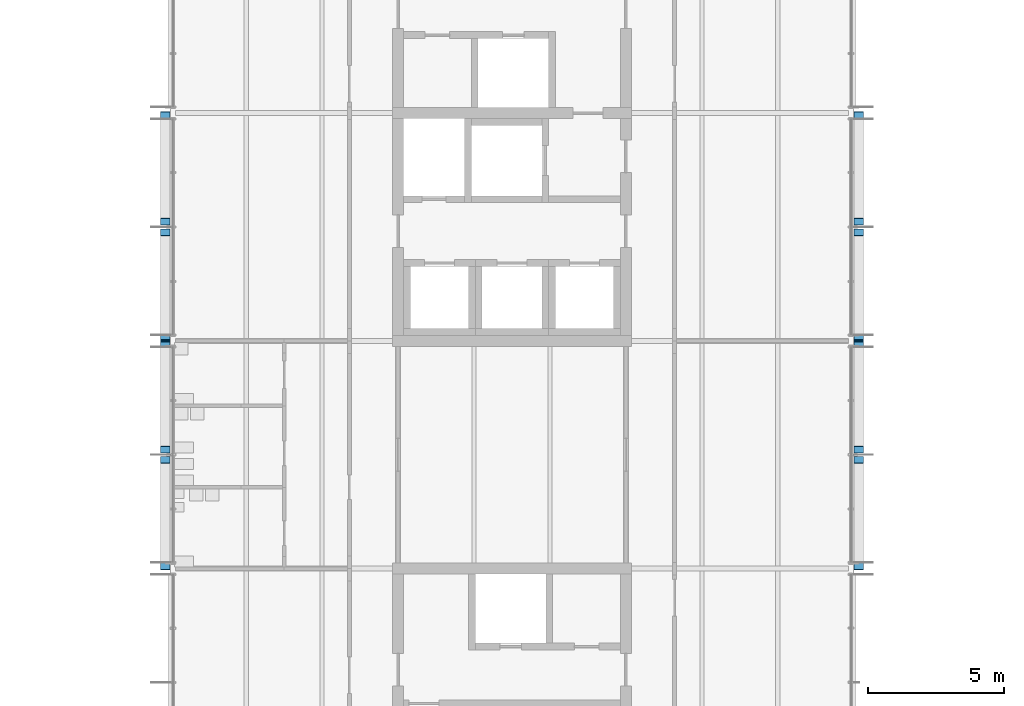
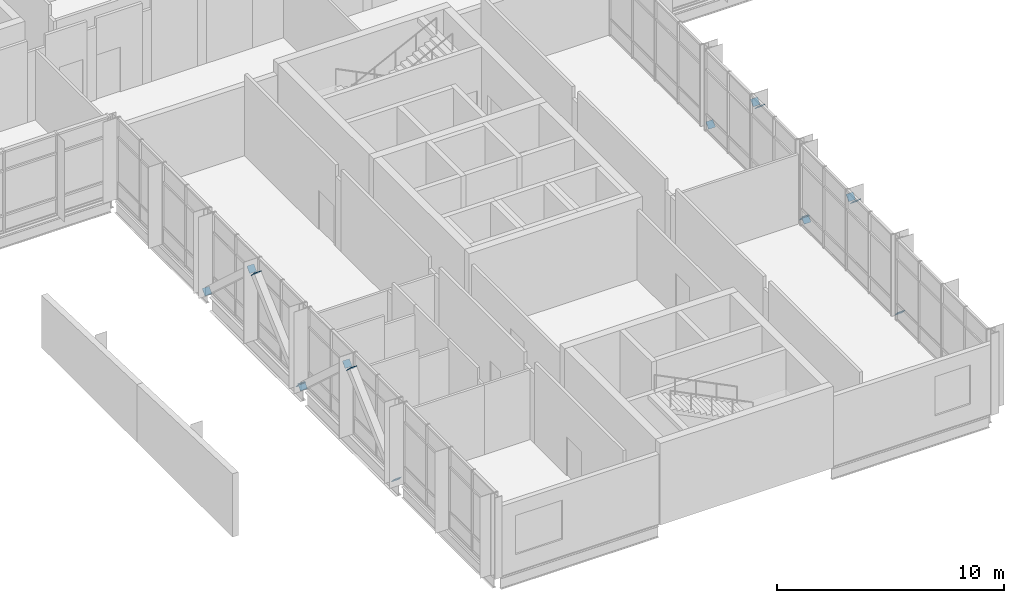
# One storey, part 56 of 72: 16 discrete accessories.
"""IFC4 building model written with IfcOpenShell, lengths in metres."""

from ifc_helpers import new_model, si_unit, direction, frame, origin, origin_2d, place, context, subcontext, project, spatial, rectangle, extrude, material, element, save


model = new_model("IFC4")

# Units and contexts
model_context = context("Model", 3, precision=1e-05, world=origin(), true_north=direction((0.0, 1.0)))
body_context = subcontext(model_context, "Body", "Model", "MODEL_VIEW")
ifc_project = project(units=[si_unit("LENGTHUNIT", "METRE"), si_unit("AREAUNIT", "SQUARE_METRE"), si_unit("VOLUMEUNIT", "CUBIC_METRE"), si_unit("PLANEANGLEUNIT", "RADIAN"), si_unit("MASSUNIT", "GRAM", prefix="KILO")], contexts=[model_context])

# Site, building, storey
site_placement = place(None, origin())
site = spatial("IfcSite", under=ifc_project, at=site_placement, CompositionType="ELEMENT")
building_placement = place(site_placement, origin())
building = spatial("IfcBuilding", under=site, at=building_placement, Name="Hlaing Beacon Police Headquarters", CompositionType="ELEMENT")
storey_placement = place(building_placement, frame((0.0, 0.0, 14.39990234375)))
storey = spatial("IfcBuildingStorey", under=building, at=storey_placement, Name="L03", CompositionType="ELEMENT", Elevation=14.39990234375)

# Discrete accessories
ifc_material = material(Name="Steel ASTM A572 Grade 50", Category="steel")
for number, where, z_axis, x_axis, name in (
    (1, (100.6181640625, 42.083251953125, 0.137939453125), (0.0, -0.738196081361, -0.674586203137), (1.0, 0.0, 0.0), "Gusset plate GP-041"),
    (2, (100.6181640625, 45.99267578125, 3.710205078125), (0.0, 0.738196081361, 0.674586203137), (-1.0, 0.0, 0.0), "Gusset plate GP-042"),
    (3, (100.6181640625, 50.316650390625, 0.137939453125), (0.0, 0.738196081361, -0.674586203137), (-1.0, 0.0, 0.0), "Gusset plate GP-043"),
    (4, (100.6181640625, 46.4072265625, 3.710205078125), (0.0, -0.738196081361, 0.674586203137), (1.0, 0.0, 0.0), "Gusset plate GP-044"),
    (5, (100.6181640625, 50.4833984375, 0.137939453125), (0.0, -0.738175180134, -0.674609074527), (1.0, 0.0, 0.0), "Gusset plate GP-045"),
    (6, (100.6181640625, 54.392578125, 3.71044921875), (0.0, 0.738175180134, 0.674609074527), (-1.0, 0.0, 0.0), "Gusset plate GP-046"),
    (7, (100.6181640625, 58.716796875, 0.137939453125), (0.0, 0.738196081361, -0.674586203137), (-1.0, 0.0, 0.0), "Gusset plate GP-047"),
    (8, (100.6181640625, 54.807373046875, 3.710205078125), (0.0, -0.738196081361, 0.674586203137), (1.0, 0.0, 0.0), "Gusset plate GP-048"),
    (9, (126.181884765625, 42.083251953125, 0.137939453125), (0.0, -0.738196081361, -0.674586203137), (1.0, 0.0, 0.0), "Gusset plate GP-097"),
    (10, (126.181884765625, 45.99267578125, 3.710205078125), (0.0, 0.738196081361, 0.674586203137), (-1.0, 0.0, 0.0), "Gusset plate GP-098"),
    (11, (126.181884765625, 50.316650390625, 0.137939453125), (0.0, 0.738196081361, -0.674586203137), (-1.0, 0.0, 0.0), "Gusset plate GP-099"),
    (12, (126.181884765625, 46.4072265625, 3.710205078125), (0.0, -0.738196081361, 0.674586203137), (1.0, 0.0, 0.0), "Gusset plate GP-100"),
    (13, (126.181884765625, 50.4833984375, 0.137939453125), (0.0, -0.738175180134, -0.674609074527), (1.0, 0.0, 0.0), "Gusset plate GP-101"),
    (14, (126.181884765625, 54.392578125, 3.71044921875), (0.0, 0.738175180134, 0.674609074527), (-1.0, 0.0, 0.0), "Gusset plate GP-102"),
    (15, (126.181884765625, 58.716796875, 0.137939453125), (0.0, 0.738196081361, -0.674586203137), (-1.0, 0.0, 0.0), "Gusset plate GP-103"),
    (16, (126.181884765625, 54.807373046875, 3.710205078125), (0.0, -0.738196081361, 0.674586203137), (1.0, 0.0, 0.0), "Gusset plate GP-104"),
):
    element("IfcDiscreteAccessory", number, at=place(storey_placement, frame(where, z_axis=z_axis, x_axis=x_axis)), inside=storey, material=ifc_material, Name=name, PredefinedType="BRACKET", context=body_context, shape_type="SweptSolid", body=[
        extrude(rectangle(XDim=0.355712890625, YDim=0.355712890625, at=origin_2d()), origin(), (0.0, 0.0, 1.0), 0.02001953125),
    ])

save(model, "model.ifc")
